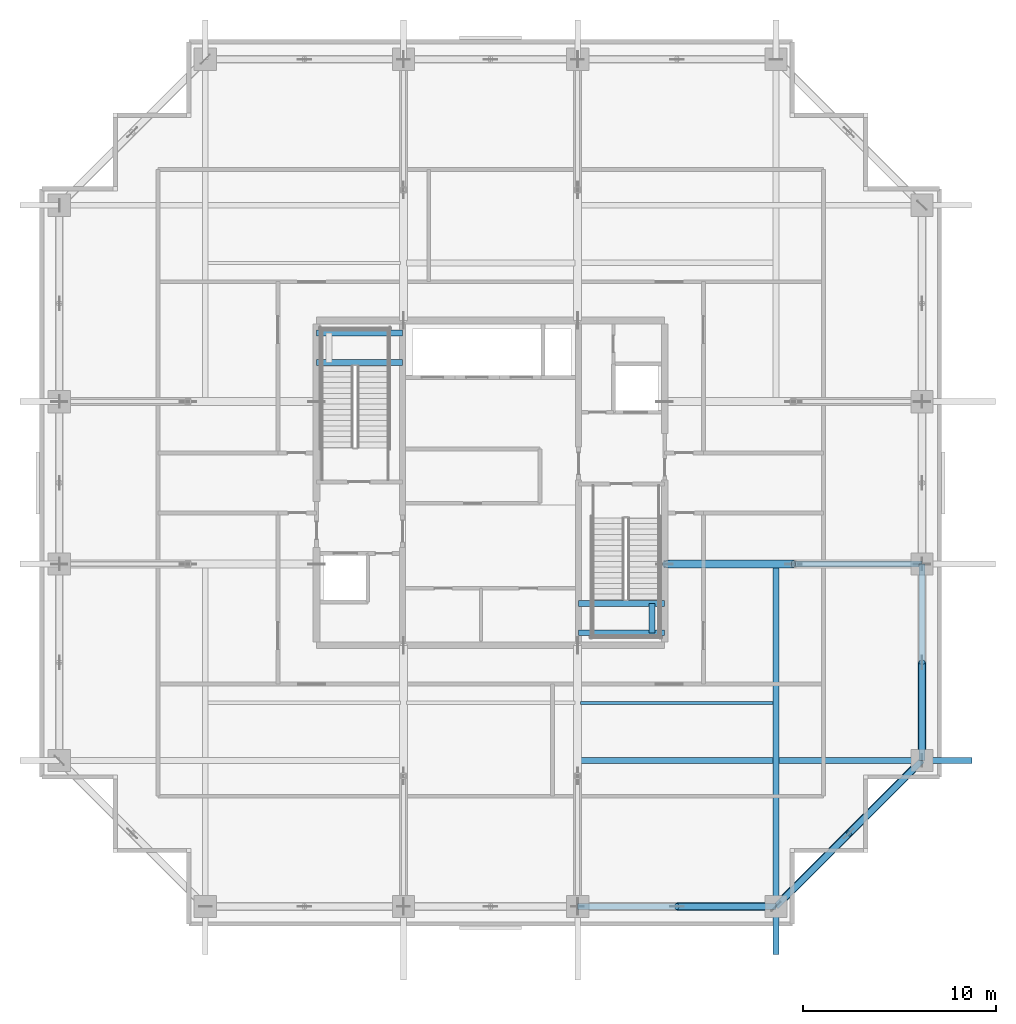
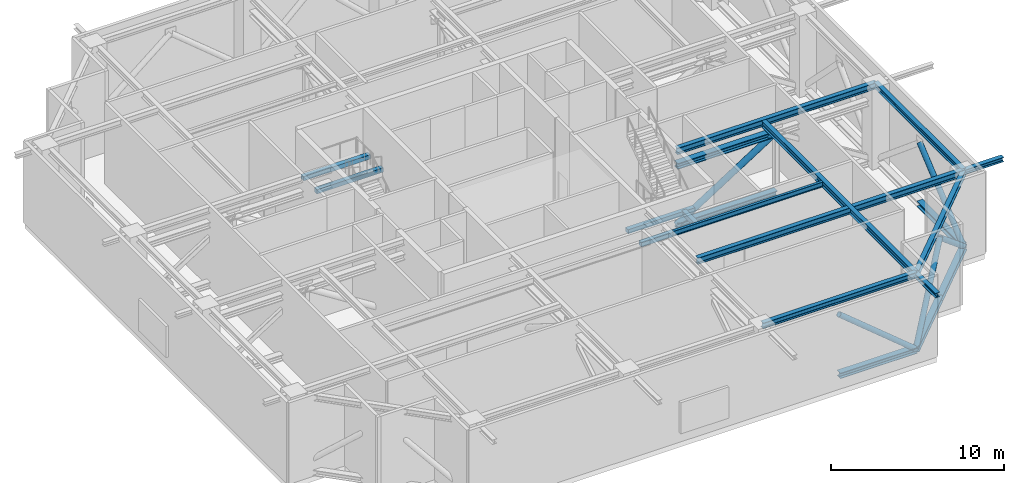
# One storey, part 3 of 22: 14 beams, 11 members.
"""IFC4 building model written with IfcOpenShell, lengths in metres."""

from ifc_helpers import new_model, si_unit, direction, frame, origin, origin_2d, place, context, subcontext, project, spatial, rectangle, hollow_circle, i_section, extrude, source, transform, mapped, material, material_profile, profile_set, type_object, element, save


model = new_model("IFC4")

# Units and contexts
model_context = context("Model", 3, precision=1e-05, world=origin(), true_north=direction((0.0, 1.0)))
body_context = subcontext(model_context, "Body", "Model", "MODEL_VIEW")
ifc_project = project(units=[si_unit("LENGTHUNIT", "METRE"), si_unit("AREAUNIT", "SQUARE_METRE"), si_unit("VOLUMEUNIT", "CUBIC_METRE"), si_unit("PLANEANGLEUNIT", "RADIAN"), si_unit("MASSUNIT", "GRAM", prefix="KILO")], contexts=[model_context])

# Site, building, storey
site_placement = place(None, origin())
site = spatial("IfcSite", under=ifc_project, at=site_placement, CompositionType="ELEMENT")
building_placement = place(site_placement, origin())
building = spatial("IfcBuilding", under=site, at=building_placement, Name="Serunith Strait Residences", CompositionType="ELEMENT")
storey_placement = place(building_placement, frame((0.0, 0.0, 287.449951171875)))
storey = spatial("IfcBuildingStorey", under=building, at=storey_placement, Name="L72", CompositionType="ELEMENT", Elevation=287.449951171875)

# Beams
ifc_material_1 = material(Name="Steel S355J2", Category="steel")
ifc_material_profile_1 = material_profile(ifc_material_1, i_section(OverallWidth=0.169921875, OverallDepth=0.360107421875, WebThickness=0.008056640625, FlangeThickness=0.0126953125, FilletRadius=0.01806640625, at=origin_2d()), Name="IPE 360")
ifc_profile_set_1 = profile_set([ifc_material_profile_1], Name="Steel S355J2")
beam_type_1 = type_object("IfcBeamType", Name="BM-IPE360", PredefinedType="JOIST", material=ifc_profile_set_1)
shared_shape_1 = source(origin(), body_context, "Body", "SweptSolid", [
    extrude(i_section(OverallWidth=0.169921875, OverallDepth=0.360107421875, WebThickness=0.008056640625, FlangeThickness=0.0126953125, FilletRadius=0.01806640625, at=origin_2d()), origin(), (0.0, 0.0, 1.0), 9.949951171875),
])
beam_1_placement = place(storey_placement, frame((37.050048828125, 13.824951171875, 5.55712890625), z_axis=(1.0, 0.0, 0.0), x_axis=(0.0, 1.0, 0.0)))
element("IfcBeam", 1, at=beam_1_placement, inside=storey, type_object=beam_type_1, Name="L72 Composite Floor Joist 03", PredefinedType="JOIST", context=body_context, shape_type="MappedRepresentation", body=[
    mapped(shared_shape_1, transform((0.0, 0.0, 0.0), scale=1.0)),
])
ifc_material_profile_2 = material_profile(ifc_material_1, i_section(OverallWidth=0.300048828125, OverallDepth=0.449951171875, WebThickness=0.013916015625, FlangeThickness=0.02587890625, FilletRadius=0.027099609375, at=origin_2d()), Name="HEB 450")
ifc_profile_set_2 = profile_set([ifc_material_profile_2], Name="Steel S355J2")
beam_type_2 = type_object("IfcBeamType", Name="BM-HEB450", PredefinedType="BEAM", material=ifc_profile_set_2)
shared_shape_2 = source(origin(), body_context, "Body", "SweptSolid", [
    extrude(i_section(OverallWidth=0.300048828125, OverallDepth=0.449951171875, WebThickness=0.013916015625, FlangeThickness=0.02587890625, FilletRadius=0.027099609375, at=origin_2d()), origin(), (0.0, 0.0, 1.0), 13.300048828125),
])
beam_2_placement = place(storey_placement, frame((41.39990234375, 21.0, 5.511962890625), z_axis=(1.0, 0.0, 0.0), x_axis=(0.0, 1.0, 0.0)))
element("IfcBeam", 2, at=beam_2_placement, inside=storey, type_object=beam_type_2, Name="L72 Primary Floor Girder TC-E2", PredefinedType="BEAM", context=body_context, shape_type="MappedRepresentation", body=[
    mapped(shared_shape_2, transform((0.0, 0.0, 0.0), scale=1.0)),
])
shared_shape_3 = source(origin(), body_context, "Body", "SweptSolid", [
    extrude(i_section(OverallWidth=0.300048828125, OverallDepth=0.449951171875, WebThickness=0.013916015625, FlangeThickness=0.02587890625, FilletRadius=0.027099609375, at=origin_2d()), origin(), (0.0, 0.0, 1.0), 17.699951171875),
])
beam_3_placement = place(storey_placement, frame((47.14990234375, 21.0, 5.511962890625), z_axis=(0.0, -1.0, 0.0), x_axis=(1.0, 0.0, 0.0)))
element("IfcBeam", 3, at=beam_3_placement, inside=storey, type_object=beam_type_2, Name="L72 Orthogonal Corner Girder TC-S4", PredefinedType="BEAM", context=body_context, shape_type="MappedRepresentation", body=[
    mapped(shared_shape_3, transform((0.0, 0.0, 0.0), scale=1.0)),
])
shared_shape_4 = source(origin(), body_context, "Body", "SweptSolid", [
    extrude(i_section(OverallWidth=0.300048828125, OverallDepth=0.449951171875, WebThickness=0.013916015625, FlangeThickness=0.02587890625, FilletRadius=0.027099609375, at=origin_2d()), origin(), (0.0, 0.0, 1.0), 17.800048828125),
])
beam_4_placement = place(storey_placement, frame((36.89990234375, 10.85009765625, 5.511962890625), z_axis=(1.0, 0.0, 0.0), x_axis=(0.0, 1.0, 0.0)))
element("IfcBeam", 4, at=beam_4_placement, inside=storey, type_object=beam_type_2, Name="L72 Orthogonal Corner Girder TC-E1", PredefinedType="BEAM", context=body_context, shape_type="MappedRepresentation", body=[
    mapped(shared_shape_4, transform((0.0, 0.0, 0.0), scale=1.0)),
])
ifc_material_profile_3 = material_profile(ifc_material_1, i_section(OverallWidth=0.300048828125, OverallDepth=0.39990234375, WebThickness=0.013427734375, FlangeThickness=0.02392578125, FilletRadius=0.027099609375, at=origin_2d()), Name="HEB 400")
ifc_profile_set_3 = profile_set([ifc_material_profile_3], Name="Steel S355J2")
beam_type_3 = type_object("IfcBeamType", Name="BM-HEB400", PredefinedType="BEAM", material=ifc_profile_set_3)
shared_shape_5 = source(origin(), body_context, "Body", "SweptSolid", [
    extrude(i_section(OverallWidth=0.300048828125, OverallDepth=0.39990234375, WebThickness=0.013427734375, FlangeThickness=0.02392578125, FilletRadius=0.027099609375, at=origin_2d()), origin(), (0.0, 0.0, 1.0), 10.25),
])
beam_5_placement = place(storey_placement, frame((36.89990234375, 3.300048828125, 5.537109375), z_axis=(1.0, 0.0, 0.0), x_axis=(0.0, 1.0, 0.0)))
element("IfcBeam", 5, at=beam_5_placement, inside=storey, type_object=beam_type_3, Name="L72 Perimeter Ring Beam 03", PredefinedType="BEAM", context=body_context, shape_type="MappedRepresentation", body=[
    mapped(shared_shape_5, transform((0.0, 0.0, 0.0), scale=1.0)),
])
shared_shape_6 = source(origin(), body_context, "Body", "SweptSolid", [
    extrude(i_section(OverallWidth=0.300048828125, OverallDepth=0.39990234375, WebThickness=0.013427734375, FlangeThickness=0.02392578125, FilletRadius=0.027099609375, at=origin_2d()), origin(), (0.0, 0.0, 1.0), 10.677490234375),
])
beam_6_placement = place(storey_placement, frame((47.14990234375, 3.300048828125, 5.507080078125), z_axis=(0.707106781187, 0.707106781187, 0.0), x_axis=(-0.707106781187, 0.707106781187, 0.0)))
element("IfcBeam", 6, at=beam_6_placement, inside=storey, type_object=beam_type_3, Name="L72 Perimeter Ring Beam 04", PredefinedType="BEAM", context=body_context, shape_type="MappedRepresentation", body=[
    mapped(shared_shape_6, transform((0.0, 0.0, 0.0), scale=1.0)),
])
shared_shape_7 = source(origin(), body_context, "Body", "SweptSolid", [
    extrude(i_section(OverallWidth=0.300048828125, OverallDepth=0.39990234375, WebThickness=0.013427734375, FlangeThickness=0.02392578125, FilletRadius=0.027099609375, at=origin_2d()), origin(), (0.0, 0.0, 1.0), 10.14990234375),
])
beam_7_placement = place(storey_placement, frame((54.699951171875, 10.85009765625, 5.537109375), z_axis=(0.0, 1.0, 0.0), x_axis=(-1.0, 0.0, 0.0)))
element("IfcBeam", 7, at=beam_7_placement, inside=storey, type_object=beam_type_3, Name="L72 Perimeter Ring Beam 05", PredefinedType="BEAM", context=body_context, shape_type="MappedRepresentation", body=[
    mapped(shared_shape_7, transform((0.0, 0.0, 0.0), scale=1.0)),
])
ifc_material_profile_4 = material_profile(ifc_material_1, i_section(OverallWidth=0.300048828125, OverallDepth=0.320068359375, WebThickness=0.011474609375, FlangeThickness=0.0205078125, FilletRadius=0.027099609375, at=origin_2d()), Name="HEB 320")
ifc_profile_set_4 = profile_set([ifc_material_profile_4], Name="Steel S355J2")
beam_type_4 = type_object("IfcBeamType", Name="BM-HEB320", PredefinedType="BEAM", material=ifc_profile_set_4)
shared_shape_8 = source(origin(), body_context, "Body", "SweptSolid", [
    extrude(i_section(OverallWidth=0.300048828125, OverallDepth=0.320068359375, WebThickness=0.011474609375, FlangeThickness=0.0205078125, FilletRadius=0.027099609375, at=origin_2d()), origin(), (0.0, 0.0, 1.0), 2.490478515625),
])
beam_8_placement = place(storey_placement, frame((47.14990234375, 3.300048828125, 5.547119140625), z_axis=(0.0, -1.0, 0.0), x_axis=(1.0, 0.0, 0.0)))
element("IfcBeam", 8, at=beam_8_placement, inside=storey, type_object=beam_type_4, Name="L73 Cantilevered Balcony Rib TC-S4", PredefinedType="BEAM", context=body_context, shape_type="MappedRepresentation", body=[
    mapped(shared_shape_8, transform((0.0, 0.0, 0.0), scale=1.0)),
])
shared_shape_9 = source(origin(), body_context, "Body", "SweptSolid", [
    extrude(i_section(OverallWidth=0.300048828125, OverallDepth=0.320068359375, WebThickness=0.011474609375, FlangeThickness=0.0205078125, FilletRadius=0.027099609375, at=origin_2d()), origin(), (0.0, 0.0, 1.0), 2.595703125),
])
beam_9_placement = place(storey_placement, frame((54.699951171875, 10.85009765625, 5.547119140625), z_axis=(1.0, 0.0, 0.0), x_axis=(0.0, 1.0, 0.0)))
element("IfcBeam", 9, at=beam_9_placement, inside=storey, type_object=beam_type_4, Name="L73 Cantilevered Balcony Rib TC-E1", PredefinedType="BEAM", context=body_context, shape_type="MappedRepresentation", body=[
    mapped(shared_shape_9, transform((0.0, 0.0, 0.0), scale=1.0)),
])

# Members
ifc_material_2 = material(Name="Steel S460M", Category="steel")
ifc_material_profile_5 = material_profile(ifc_material_2, i_section(OverallWidth=0.406005859375, OverallDepth=0.416015625, WebThickness=0.02978515625, FlangeThickness=0.048095703125, FilletRadius=0.014892578125, at=origin_2d()), Name="HD 400x382")
ifc_profile_set_5 = profile_set([ifc_material_profile_5], Name="Steel S460M")
member_type_1 = type_object("IfcMemberType", Name="MBR-CHORD-HD382", PredefinedType="CHORD", material=ifc_profile_set_5)
shared_shape_10 = source(origin(), body_context, "Body", "SweptSolid", [
    extrude(i_section(OverallWidth=0.406005859375, OverallDepth=0.416015625, WebThickness=0.02978515625, FlangeThickness=0.048095703125, FilletRadius=0.014892578125, at=origin_2d()), origin(), (0.0, 0.0, 1.0), 6.650146484375),
])
for number, where, z_axis, x_axis, name in (
    (10, (41.39990234375, 21.0, 0.25), (1.0, 0.0, 0.0), (0.0, 1.0, 0.0), "L72 Outrigger Arm 5 Bottom Chord 1"),
    (11, (41.39990234375, 21.0, 4.489990234375), (1.0, 0.0, 0.0), (0.0, 1.0, 0.0), "L72 Outrigger Arm 5 Top Chord 1"),
):
    element("IfcMember", number, at=place(storey_placement, frame(where, z_axis=z_axis, x_axis=x_axis)), inside=storey, type_object=member_type_1, Name=name, PredefinedType="CHORD", context=body_context, shape_type="MappedRepresentation", body=[
        mapped(shared_shape_10, transform((0.0, 0.0, 0.0), scale=1.0)),
    ])
ifc_material_profile_6 = material_profile(ifc_material_2, hollow_circle(Radius=0.203125, WallThickness=0.01611328125, at=origin_2d()), Name="CHS 406.4x16")
ifc_profile_set_6 = profile_set([ifc_material_profile_6], Name="Steel S460M")
member_type_2 = type_object("IfcMemberType", Name="MBR-DIAG-CHS406", PredefinedType="BRACE", material=ifc_profile_set_6)
shared_shape_11 = source(origin(), body_context, "Body", "SweptSolid", [
    extrude(hollow_circle(Radius=0.203125, WallThickness=0.01611328125, at=origin_2d()), origin(), (0.0, 0.0, 1.0), 7.88671875),
])
member_1_placement = place(storey_placement, frame((41.39990234375, 21.0, 0.25), z_axis=(0.843197204186, 0.0, 0.537604385076), x_axis=(0.0, 1.0, 0.0)))
element("IfcMember", 12, at=member_1_placement, inside=storey, type_object=member_type_2, Name="L72 Outrigger Arm 5 Inner Diagonal", PredefinedType="BRACE", context=body_context, shape_type="MappedRepresentation", body=[
    mapped(shared_shape_11, transform((0.0, 0.0, 0.0), scale=1.0)),
])
ifc_material_profile_7 = material_profile(ifc_material_2, i_section(OverallWidth=0.39794921875, OverallDepth=0.386962890625, WebThickness=0.02099609375, FlangeThickness=0.033203125, FilletRadius=0.014892578125, at=origin_2d()), Name="HD 400x262")
ifc_profile_set_7 = profile_set([ifc_material_profile_7], Name="Steel S460M")
member_type_3 = type_object("IfcMemberType", Name="MBR-CHORD-HD262", PredefinedType="CHORD", material=ifc_profile_set_7)
shared_shape_12 = source(origin(), body_context, "Body", "SweptSolid", [
    extrude(i_section(OverallWidth=0.39794921875, OverallDepth=0.386962890625, WebThickness=0.02099609375, FlangeThickness=0.033203125, FilletRadius=0.014892578125, at=origin_2d()), origin(), (0.0, 0.0, 1.0), 5.125),
])
member_2_placement = place(storey_placement, frame((42.02490234375, 3.300048828125, 0.25), z_axis=(1.0, 0.0, 0.0), x_axis=(0.0, 1.0, 0.0)))
element("IfcMember", 13, at=member_2_placement, inside=storey, type_object=member_type_3, Name="L72 Belt Truss Bay 03 Chord B", PredefinedType="CHORD", context=body_context, shape_type="MappedRepresentation", body=[
    mapped(shared_shape_12, transform((0.0, 0.0, 0.0), scale=1.0)),
])
ifc_material_profile_8 = material_profile(ifc_material_1, hollow_circle(Radius=0.177734375, WallThickness=0.012451171875, at=origin_2d()), Name="CHS 355.6x12.5")
ifc_profile_set_8 = profile_set([ifc_material_profile_8], Name="Steel S355J2")
member_type_4 = type_object("IfcMemberType", Name="MBR-DIAG-CHS355", PredefinedType="BRACE", material=ifc_profile_set_8)
shared_shape_13 = source(origin(), body_context, "Body", "SweptSolid", [
    extrude(hollow_circle(Radius=0.177734375, WallThickness=0.012451171875, at=origin_2d()), origin(), (0.0, 0.0, 1.0), 6.651611328125),
])
member_3_placement = place(storey_placement, frame((47.14990234375, 3.300048828125, 0.25), z_axis=(-0.770496886362, 0.0, 0.63744376074), x_axis=(0.0, -1.0, 0.0)))
element("IfcMember", 14, at=member_3_placement, inside=storey, type_object=member_type_4, Name="L72 Belt Truss Bay 03 Diagonal 2", PredefinedType="BRACE", context=body_context, shape_type="MappedRepresentation", body=[
    mapped(shared_shape_13, transform((0.0, 0.0, 0.0), scale=1.0)),
])
shared_shape_14 = source(origin(), body_context, "Body", "SweptSolid", [
    extrude(i_section(OverallWidth=0.39794921875, OverallDepth=0.386962890625, WebThickness=0.02099609375, FlangeThickness=0.033203125, FilletRadius=0.014892578125, at=origin_2d()), origin(), (0.0, 0.0, 1.0), 5.338623046875),
])
for number, where, z_axis, x_axis, name in (
    (15, (47.14990234375, 3.300048828125, 0.25), (0.707129646032, 0.707083915602, 0.0), (-0.707083915602, 0.707129646032, 0.0), "L72 Belt Truss Bay 04 Chord A"),
    (16, (50.925048828125, 7.074951171875, 0.25), (0.707083915602, 0.707129646032, 0.0), (-0.707129646032, 0.707083915602, 0.0), "L72 Belt Truss Bay 04 Chord B"),
):
    element("IfcMember", number, at=place(storey_placement, frame(where, z_axis=z_axis, x_axis=x_axis)), inside=storey, type_object=member_type_3, Name=name, PredefinedType="CHORD", context=body_context, shape_type="MappedRepresentation", body=[
        mapped(shared_shape_14, transform((0.0, 0.0, 0.0), scale=1.0)),
    ])
shared_shape_15 = source(origin(), body_context, "Body", "SweptSolid", [
    extrude(hollow_circle(Radius=0.177734375, WallThickness=0.012451171875, at=origin_2d()), origin(), (0.0, 0.0, 1.0), 6.817626953125),
])
for number, where, z_axis, x_axis, name in (
    (17, (47.14990234375, 3.300048828125, 0.25), (0.5537385834, 0.553702772847, 0.621921876602), (-0.707083915602, 0.707129646032, 0.0), "L72 Belt Truss Bay 04 Diagonal 1"),
    (18, (54.699951171875, 10.85009765625, 0.25), (-0.553702772847, -0.5537385834, 0.621921876602), (0.707129646032, -0.707083915602, 0.0), "L72 Belt Truss Bay 04 Diagonal 2"),
):
    element("IfcMember", number, at=place(storey_placement, frame(where, z_axis=z_axis, x_axis=x_axis)), inside=storey, type_object=member_type_4, Name=name, PredefinedType="BRACE", context=body_context, shape_type="MappedRepresentation", body=[
        mapped(shared_shape_15, transform((0.0, 0.0, 0.0), scale=1.0)),
    ])
shared_shape_16 = source(origin(), body_context, "Body", "SweptSolid", [
    extrude(i_section(OverallWidth=0.39794921875, OverallDepth=0.386962890625, WebThickness=0.02099609375, FlangeThickness=0.033203125, FilletRadius=0.014892578125, at=origin_2d()), origin(), (0.0, 0.0, 1.0), 5.074951171875),
])
member_4_placement = place(storey_placement, frame((54.699951171875, 10.85009765625, 0.25), z_axis=(0.0, 1.0, 0.0), x_axis=(-1.0, 0.0, 0.0)))
element("IfcMember", 19, at=member_4_placement, inside=storey, type_object=member_type_3, Name="L72 Belt Truss Bay 05 Chord A", PredefinedType="CHORD", context=body_context, shape_type="MappedRepresentation", body=[
    mapped(shared_shape_16, transform((0.0, 0.0, 0.0), scale=1.0)),
])
shared_shape_17 = source(origin(), body_context, "Body", "SweptSolid", [
    extrude(hollow_circle(Radius=0.177734375, WallThickness=0.012451171875, at=origin_2d()), origin(), (0.0, 0.0, 1.0), 6.613037109375),
])
member_5_placement = place(storey_placement, frame((54.699951171875, 10.85009765625, 0.25), z_axis=(0.0, 0.767412710118, 0.641153439006), x_axis=(-1.0, 0.0, 0.0)))
element("IfcMember", 20, at=member_5_placement, inside=storey, type_object=member_type_4, Name="L72 Belt Truss Bay 05 Diagonal 1", PredefinedType="BRACE", context=body_context, shape_type="MappedRepresentation", body=[
    mapped(shared_shape_17, transform((0.0, 0.0, 0.0), scale=1.0)),
])

# Beams
ifc_material_3 = material(Name="Concrete C60/75", Category="concrete")
ifc_material_profile_9 = material_profile(ifc_material_3, rectangle(XDim=0.300048828125, YDim=0.300048828125, at=origin_2d()), Name="RC 300x300")
ifc_profile_set_9 = profile_set([ifc_material_profile_9], Name="Concrete C60/75")
beam_type_5 = type_object("IfcBeamType", Name="BM-LAND-300x300", PredefinedType="BEAM", material=ifc_profile_set_9)
shared_shape_18 = source(origin(), body_context, "Body", "SweptSolid", [
    extrude(rectangle(XDim=0.300048828125, YDim=0.300048828125, at=origin_2d()), origin(), (0.0, 0.0, 1.0), 4.4501953125),
])
for number, where, z_axis, x_axis, name in (
    (21, (23.39990234375, 31.429931640625, 2.650146484375), (1.0, 0.0, 0.0), (0.0, 1.0, 0.0), "L72 ST-1 Landing Support Beam 1"),
    (22, (23.39990234375, 32.949951171875, 2.650146484375), (1.0, 0.0, 0.0), (0.0, 1.0, 0.0), "L72 ST-1 Landing Support Beam 2"),
):
    element("IfcBeam", number, at=place(storey_placement, frame(where, z_axis=z_axis, x_axis=x_axis)), inside=storey, type_object=beam_type_5, Name=name, PredefinedType="BEAM", context=body_context, shape_type="MappedRepresentation", body=[
        mapped(shared_shape_18, transform((0.0, 0.0, 0.0), scale=1.0)),
    ])
shared_shape_19 = source(origin(), body_context, "Body", "SweptSolid", [
    extrude(rectangle(XDim=0.300048828125, YDim=0.300048828125, at=origin_2d()), origin(), (0.0, 0.0, 1.0), 1.52001953125),
])
beam_10_placement = place(storey_placement, frame((40.75, 17.449951171875, 2.650146484375), z_axis=(0.0, 1.0, 0.0), x_axis=(-1.0, 0.0, 0.0)))
element("IfcBeam", 23, at=beam_10_placement, inside=storey, type_object=beam_type_5, Name="L72 ST-2 Landing Transverse Tie Beam", PredefinedType="BEAM", context=body_context, shape_type="MappedRepresentation", body=[
    mapped(shared_shape_19, transform((0.0, 0.0, 0.0), scale=1.0)),
])
shared_shape_20 = source(origin(), body_context, "Body", "SweptSolid", [
    extrude(rectangle(XDim=0.300048828125, YDim=0.300048828125, at=origin_2d()), origin(), (0.0, 0.0, 1.0), 4.449951171875),
])
for number, where, z_axis, x_axis, name in (
    (24, (36.949951171875, 17.449951171875, 2.650146484375), (1.0, 0.0, 0.0), (0.0, 1.0, 0.0), "L72 ST-2 Landing Support Beam 1"),
    (25, (36.949951171875, 18.969970703125, 2.650146484375), (1.0, 0.0, 0.0), (0.0, 1.0, 0.0), "L72 ST-2 Landing Support Beam 2"),
):
    element("IfcBeam", number, at=place(storey_placement, frame(where, z_axis=z_axis, x_axis=x_axis)), inside=storey, type_object=beam_type_5, Name=name, PredefinedType="BEAM", context=body_context, shape_type="MappedRepresentation", body=[
        mapped(shared_shape_20, transform((0.0, 0.0, 0.0), scale=1.0)),
    ])

save(model, "model.ifc")
